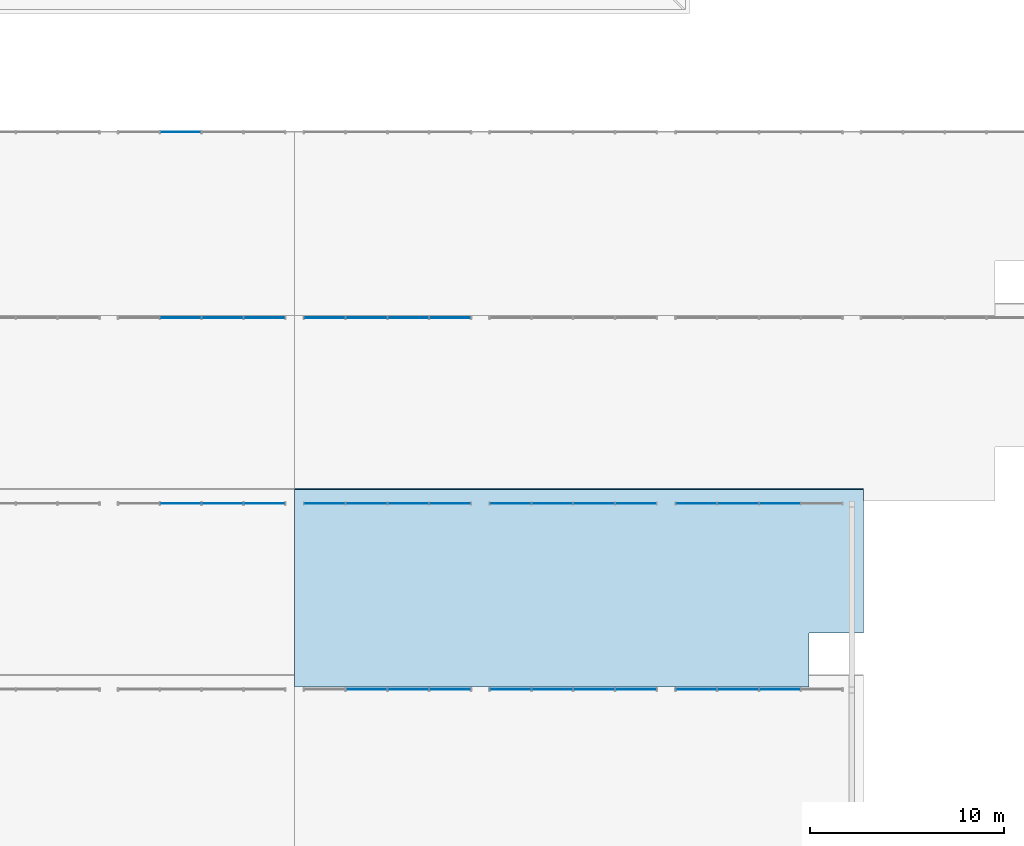
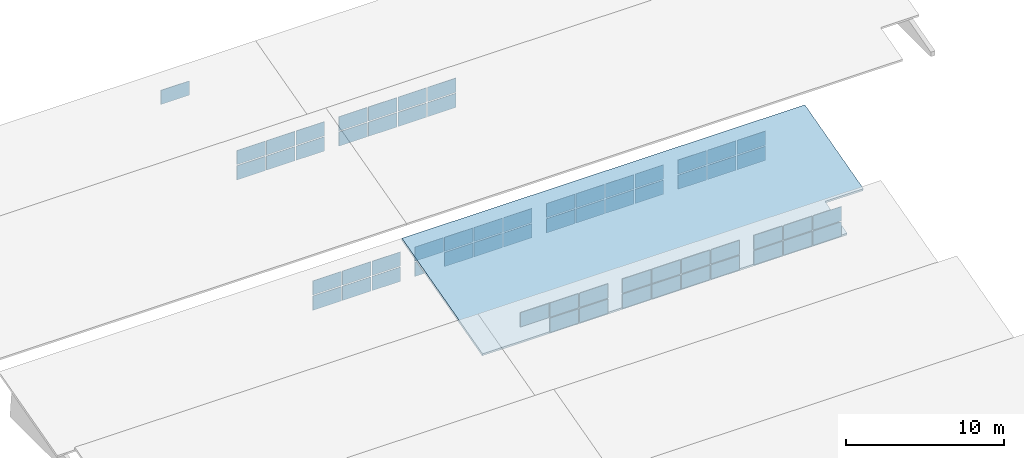
# One storey, part 14 of 18: 62 plates, 1 slab, 10 elements without a shape of their own.
"""IFC4 building model written with IfcOpenShell, lengths in metres."""

from ifc_helpers import new_model, si_unit, direction, frame, origin, origin_2d, place, context, subcontext, project, spatial, polyline, rectangle, outline, extrude, material, layer, layer_set, type_object, element, aggregate, save


model = new_model("IFC4")

# Units and contexts
model_context = context("Model", 3, precision=1e-05, world=origin(), true_north=direction((0.0, 1.0)))
body_context = subcontext(model_context, "Body", "Model", "MODEL_VIEW")
ifc_project = project(units=[si_unit("LENGTHUNIT", "METRE"), si_unit("AREAUNIT", "SQUARE_METRE"), si_unit("VOLUMEUNIT", "CUBIC_METRE"), si_unit("PLANEANGLEUNIT", "RADIAN"), si_unit("MASSUNIT", "GRAM", prefix="KILO")], contexts=[model_context])

# Site, building, storey
site_placement = place(None, origin())
site = spatial("IfcSite", under=ifc_project, at=site_placement, CompositionType="ELEMENT")
building_placement = place(site_placement, origin())
building = spatial("IfcBuilding", under=site, at=building_placement, Name="Bempovik Park Faculty of Sciences", CompositionType="ELEMENT")
storey_placement = place(building_placement, frame((0.0, 0.0, 50.10009765625)))
storey = spatial("IfcBuildingStorey", under=building, at=storey_placement, Name="Roof", CompositionType="ELEMENT", Elevation=50.10009765625)

# Curtain wall, plates
ifc_material_1 = material(Name="Tempered laminated low-E glass", Category="glass")
ifc_layer_1 = layer(ifc_material_1, 0.159912109375)
ifc_layer_set_1 = layer_set([ifc_layer_1], Name="Tempered laminated low-E glass")
curtain_wall_type_1 = type_object("IfcCurtainWallType", Name="CW-53 Curtain 8000x2550", PredefinedType="USERDEFINED", material=ifc_layer_set_1)
curtain_wall_1_placement = place(storey_placement, origin())
curtain_wall_1 = element("IfcCurtainWall", 1, at=curtain_wall_1_placement, inside=storey, type_object=curtain_wall_type_1, Name="V1 Sawtooth North-Light Clerestory Bay 4 (88.8-98.4)", ObjectType="NORTH LIGHT CLERESTORY", PredefinedType="USERDEFINED")
ifc_layer_2 = layer(ifc_material_1, 0.031982421875)
ifc_layer_set_2 = layer_set([ifc_layer_2], Name="Tempered laminated low-E glass")
plate_type = type_object("IfcPlateType", Name="CP-23 Curtain Panel 32mm", PredefinedType="CURTAIN_PANEL", material=ifc_layer_set_2)
plate_1_placement = place(storey_placement, frame((92.52001953125, 58.080078125, -28.98388671875), z_axis=(0.0, 0.0, 1.0), x_axis=(1.0, 0.0, 0.0)))
plate_1 = element("IfcPlate", 2, at=plate_1_placement, type_object=plate_type, Name="CW-NL-V1-B4-888 Panel 1-1", PredefinedType="CURTAIN_PANEL", context=body_context, shape_type="SweptSolid", body=[
    extrude(rectangle(XDim=2.080078125, YDim=0.035888671875, at=origin_2d()), origin(), (0.0, 0.0, 1.0), 1.09619140625),
])
plate_2_placement = place(storey_placement, frame((94.679931640625, 58.080078125, -30.16015625), z_axis=(0.0, 0.0, 1.0), x_axis=(1.0, 0.0, 0.0)))
plate_2 = element("IfcPlate", 3, at=plate_2_placement, type_object=plate_type, Name="CW-NL-V1-B4-888 Panel 2-0", PredefinedType="CURTAIN_PANEL", context=body_context, shape_type="SweptSolid", body=[
    extrude(rectangle(XDim=2.080078125, YDim=0.035888671875, at=origin_2d()), origin(), (0.0, 0.0, 1.0), 1.09619140625),
])
plate_3_placement = place(storey_placement, frame((94.679931640625, 58.080078125, -28.98388671875), z_axis=(0.0, 0.0, 1.0), x_axis=(1.0, 0.0, 0.0)))
plate_3 = element("IfcPlate", 4, at=plate_3_placement, type_object=plate_type, Name="CW-NL-V1-B4-888 Panel 2-1", PredefinedType="CURTAIN_PANEL", context=body_context, shape_type="SweptSolid", body=[
    extrude(rectangle(XDim=2.080078125, YDim=0.035888671875, at=origin_2d()), origin(), (0.0, 0.0, 1.0), 1.09619140625),
])
plate_4_placement = place(storey_placement, frame((96.840087890625, 58.080078125, -30.16015625), z_axis=(0.0, 0.0, 1.0), x_axis=(1.0, 0.0, 0.0)))
plate_4 = element("IfcPlate", 5, at=plate_4_placement, type_object=plate_type, Name="CW-NL-V1-B4-888 Panel 3-0", PredefinedType="CURTAIN_PANEL", context=body_context, shape_type="SweptSolid", body=[
    extrude(rectangle(XDim=2.080078125, YDim=0.035888671875, at=origin_2d()), origin(), (0.0, 0.0, 1.0), 1.09619140625),
])
plate_5_placement = place(storey_placement, frame((96.840087890625, 58.080078125, -28.98388671875), z_axis=(0.0, 0.0, 1.0), x_axis=(1.0, 0.0, 0.0)))
plate_5 = element("IfcPlate", 6, at=plate_5_placement, type_object=plate_type, Name="CW-NL-V1-B4-888 Panel 3-1", PredefinedType="CURTAIN_PANEL", context=body_context, shape_type="SweptSolid", body=[
    extrude(rectangle(XDim=2.080078125, YDim=0.035888671875, at=origin_2d()), origin(), (0.0, 0.0, 1.0), 1.09619140625),
])
aggregate(curtain_wall_1, [plate_1, plate_2, plate_3, plate_4, plate_5])

curtain_wall_2_placement = place(storey_placement, origin())
curtain_wall_2 = element("IfcCurtainWall", 7, at=curtain_wall_2_placement, inside=storey, type_object=curtain_wall_type_1, Name="V1 Sawtooth North-Light Clerestory Bay 4 (98.4-108.0)", ObjectType="NORTH LIGHT CLERESTORY", PredefinedType="USERDEFINED")
plate_6_placement = place(storey_placement, frame((99.9599609375, 58.080078125, -30.16015625), z_axis=(0.0, 0.0, 1.0), x_axis=(1.0, 0.0, 0.0)))
plate_6 = element("IfcPlate", 8, at=plate_6_placement, type_object=plate_type, Name="CW-NL-V1-B4-984 Panel 0-0", PredefinedType="CURTAIN_PANEL", context=body_context, shape_type="SweptSolid", body=[
    extrude(rectangle(XDim=2.080078125, YDim=0.035888671875, at=origin_2d()), origin(), (0.0, 0.0, 1.0), 1.09619140625),
])
plate_7_placement = place(storey_placement, frame((99.9599609375, 58.080078125, -28.98388671875), z_axis=(0.0, 0.0, 1.0), x_axis=(1.0, 0.0, 0.0)))
plate_7 = element("IfcPlate", 9, at=plate_7_placement, type_object=plate_type, Name="CW-NL-V1-B4-984 Panel 0-1", PredefinedType="CURTAIN_PANEL", context=body_context, shape_type="SweptSolid", body=[
    extrude(rectangle(XDim=2.080078125, YDim=0.035888671875, at=origin_2d()), origin(), (0.0, 0.0, 1.0), 1.09619140625),
])
plate_8_placement = place(storey_placement, frame((102.1201171875, 58.080078125, -30.16015625), z_axis=(0.0, 0.0, 1.0), x_axis=(1.0, 0.0, 0.0)))
plate_8 = element("IfcPlate", 10, at=plate_8_placement, type_object=plate_type, Name="CW-NL-V1-B4-984 Panel 1-0", PredefinedType="CURTAIN_PANEL", context=body_context, shape_type="SweptSolid", body=[
    extrude(rectangle(XDim=2.080078125, YDim=0.035888671875, at=origin_2d()), origin(), (0.0, 0.0, 1.0), 1.09619140625),
])
plate_9_placement = place(storey_placement, frame((102.1201171875, 58.080078125, -28.98388671875), z_axis=(0.0, 0.0, 1.0), x_axis=(1.0, 0.0, 0.0)))
plate_9 = element("IfcPlate", 11, at=plate_9_placement, type_object=plate_type, Name="CW-NL-V1-B4-984 Panel 1-1", PredefinedType="CURTAIN_PANEL", context=body_context, shape_type="SweptSolid", body=[
    extrude(rectangle(XDim=2.080078125, YDim=0.035888671875, at=origin_2d()), origin(), (0.0, 0.0, 1.0), 1.09619140625),
])
plate_10_placement = place(storey_placement, frame((104.280029296875, 58.080078125, -30.16015625), z_axis=(0.0, 0.0, 1.0), x_axis=(1.0, 0.0, 0.0)))
plate_10 = element("IfcPlate", 12, at=plate_10_placement, type_object=plate_type, Name="CW-NL-V1-B4-984 Panel 2-0", PredefinedType="CURTAIN_PANEL", context=body_context, shape_type="SweptSolid", body=[
    extrude(rectangle(XDim=2.080078125, YDim=0.035888671875, at=origin_2d()), origin(), (0.0, 0.0, 1.0), 1.09619140625),
])
plate_11_placement = place(storey_placement, frame((104.280029296875, 58.080078125, -28.98388671875), z_axis=(0.0, 0.0, 1.0), x_axis=(1.0, 0.0, 0.0)))
plate_11 = element("IfcPlate", 13, at=plate_11_placement, type_object=plate_type, Name="CW-NL-V1-B4-984 Panel 2-1", PredefinedType="CURTAIN_PANEL", context=body_context, shape_type="SweptSolid", body=[
    extrude(rectangle(XDim=2.080078125, YDim=0.035888671875, at=origin_2d()), origin(), (0.0, 0.0, 1.0), 1.09619140625),
])
plate_12_placement = place(storey_placement, frame((106.43994140625, 58.080078125, -30.16015625), z_axis=(0.0, 0.0, 1.0), x_axis=(1.0, 0.0, 0.0)))
plate_12 = element("IfcPlate", 14, at=plate_12_placement, type_object=plate_type, Name="CW-NL-V1-B4-984 Panel 3-0", PredefinedType="CURTAIN_PANEL", context=body_context, shape_type="SweptSolid", body=[
    extrude(rectangle(XDim=2.080078125, YDim=0.035888671875, at=origin_2d()), origin(), (0.0, 0.0, 1.0), 1.09619140625),
])
plate_13_placement = place(storey_placement, frame((106.43994140625, 58.080078125, -28.98388671875), z_axis=(0.0, 0.0, 1.0), x_axis=(1.0, 0.0, 0.0)))
plate_13 = element("IfcPlate", 15, at=plate_13_placement, type_object=plate_type, Name="CW-NL-V1-B4-984 Panel 3-1", PredefinedType="CURTAIN_PANEL", context=body_context, shape_type="SweptSolid", body=[
    extrude(rectangle(XDim=2.080078125, YDim=0.035888671875, at=origin_2d()), origin(), (0.0, 0.0, 1.0), 1.09619140625),
])
aggregate(curtain_wall_2, [plate_6, plate_7, plate_8, plate_9, plate_10, plate_11, plate_12, plate_13])

ifc_layer_3 = layer(ifc_material_1, 0.159912109375)
ifc_layer_set_3 = layer_set([ifc_layer_3], Name="Tempered laminated low-E glass")
curtain_wall_type_2 = type_object("IfcCurtainWallType", Name="CW-17 Curtain 7200x2550", PredefinedType="USERDEFINED", material=ifc_layer_set_3)
curtain_wall_3_placement = place(storey_placement, origin())
curtain_wall_3 = element("IfcCurtainWall", 16, at=curtain_wall_3_placement, inside=storey, type_object=curtain_wall_type_2, Name="V1 Sawtooth North-Light Clerestory Bay 4 (108.0-117.6)", ObjectType="NORTH LIGHT CLERESTORY", PredefinedType="USERDEFINED")
plate_14_placement = place(storey_placement, frame((109.56005859375, 58.080078125, -30.16015625), z_axis=(0.0, 0.0, 1.0), x_axis=(1.0, 0.0, 0.0)))
plate_14 = element("IfcPlate", 17, at=plate_14_placement, type_object=plate_type, Name="CW-NL-V1-B4-1080 Panel 0-0", PredefinedType="CURTAIN_PANEL", context=body_context, shape_type="SweptSolid", body=[
    extrude(rectangle(XDim=2.080078125, YDim=0.035888671875, at=origin_2d()), origin(), (0.0, 0.0, 1.0), 1.09619140625),
])
plate_15_placement = place(storey_placement, frame((109.56005859375, 58.080078125, -28.98388671875), z_axis=(0.0, 0.0, 1.0), x_axis=(1.0, 0.0, 0.0)))
plate_15 = element("IfcPlate", 18, at=plate_15_placement, type_object=plate_type, Name="CW-NL-V1-B4-1080 Panel 0-1", PredefinedType="CURTAIN_PANEL", context=body_context, shape_type="SweptSolid", body=[
    extrude(rectangle(XDim=2.080078125, YDim=0.035888671875, at=origin_2d()), origin(), (0.0, 0.0, 1.0), 1.09619140625),
])
plate_16_placement = place(storey_placement, frame((111.719970703125, 58.080078125, -30.16015625), z_axis=(0.0, 0.0, 1.0), x_axis=(1.0, 0.0, 0.0)))
plate_16 = element("IfcPlate", 19, at=plate_16_placement, type_object=plate_type, Name="CW-NL-V1-B4-1080 Panel 1-0", PredefinedType="CURTAIN_PANEL", context=body_context, shape_type="SweptSolid", body=[
    extrude(rectangle(XDim=2.080078125, YDim=0.035888671875, at=origin_2d()), origin(), (0.0, 0.0, 1.0), 1.09619140625),
])
plate_17_placement = place(storey_placement, frame((111.719970703125, 58.080078125, -28.98388671875), z_axis=(0.0, 0.0, 1.0), x_axis=(1.0, 0.0, 0.0)))
plate_17 = element("IfcPlate", 20, at=plate_17_placement, type_object=plate_type, Name="CW-NL-V1-B4-1080 Panel 1-1", PredefinedType="CURTAIN_PANEL", context=body_context, shape_type="SweptSolid", body=[
    extrude(rectangle(XDim=2.080078125, YDim=0.035888671875, at=origin_2d()), origin(), (0.0, 0.0, 1.0), 1.09619140625),
])
plate_18_placement = place(storey_placement, frame((113.8798828125, 58.080078125, -30.16015625), z_axis=(0.0, 0.0, 1.0), x_axis=(1.0, 0.0, 0.0)))
plate_18 = element("IfcPlate", 21, at=plate_18_placement, type_object=plate_type, Name="CW-NL-V1-B4-1080 Panel 2-0", PredefinedType="CURTAIN_PANEL", context=body_context, shape_type="SweptSolid", body=[
    extrude(rectangle(XDim=2.080078125, YDim=0.035888671875, at=origin_2d()), origin(), (0.0, 0.0, 1.0), 1.09619140625),
])
plate_19_placement = place(storey_placement, frame((113.8798828125, 58.080078125, -28.98388671875), z_axis=(0.0, 0.0, 1.0), x_axis=(1.0, 0.0, 0.0)))
plate_19 = element("IfcPlate", 22, at=plate_19_placement, type_object=plate_type, Name="CW-NL-V1-B4-1080 Panel 2-1", PredefinedType="CURTAIN_PANEL", context=body_context, shape_type="SweptSolid", body=[
    extrude(rectangle(XDim=2.080078125, YDim=0.035888671875, at=origin_2d()), origin(), (0.0, 0.0, 1.0), 1.09619140625),
])
aggregate(curtain_wall_3, [plate_14, plate_15, plate_16, plate_17, plate_18, plate_19])

curtain_wall_4_placement = place(storey_placement, origin())
curtain_wall_4 = element("IfcCurtainWall", 23, at=curtain_wall_4_placement, inside=storey, type_object=curtain_wall_type_1, Name="V1 Sawtooth North-Light Clerestory Bay 5 (79.2-88.8)", ObjectType="NORTH LIGHT CLERESTORY", PredefinedType="USERDEFINED")
plate_20_placement = place(storey_placement, frame((82.919921875, 67.679931640625, -30.16015625), z_axis=(0.0, 0.0, 1.0), x_axis=(1.0, 0.0, 0.0)))
plate_20 = element("IfcPlate", 24, at=plate_20_placement, type_object=plate_type, Name="CW-NL-V1-B5-792 Panel 1-0", PredefinedType="CURTAIN_PANEL", context=body_context, shape_type="SweptSolid", body=[
    extrude(rectangle(XDim=2.080078125, YDim=0.035888671875, at=origin_2d()), origin(), (0.0, 0.0, 1.0), 1.09619140625),
])
plate_21_placement = place(storey_placement, frame((82.919921875, 67.679931640625, -28.98388671875), z_axis=(0.0, 0.0, 1.0), x_axis=(1.0, 0.0, 0.0)))
plate_21 = element("IfcPlate", 25, at=plate_21_placement, type_object=plate_type, Name="CW-NL-V1-B5-792 Panel 1-1", PredefinedType="CURTAIN_PANEL", context=body_context, shape_type="SweptSolid", body=[
    extrude(rectangle(XDim=2.080078125, YDim=0.035888671875, at=origin_2d()), origin(), (0.0, 0.0, 1.0), 1.09619140625),
])
plate_22_placement = place(storey_placement, frame((85.080078125, 67.679931640625, -30.16015625), z_axis=(0.0, 0.0, 1.0), x_axis=(1.0, 0.0, 0.0)))
plate_22 = element("IfcPlate", 26, at=plate_22_placement, type_object=plate_type, Name="CW-NL-V1-B5-792 Panel 2-0", PredefinedType="CURTAIN_PANEL", context=body_context, shape_type="SweptSolid", body=[
    extrude(rectangle(XDim=2.080078125, YDim=0.035888671875, at=origin_2d()), origin(), (0.0, 0.0, 1.0), 1.09619140625),
])
plate_23_placement = place(storey_placement, frame((85.080078125, 67.679931640625, -28.98388671875), z_axis=(0.0, 0.0, 1.0), x_axis=(1.0, 0.0, 0.0)))
plate_23 = element("IfcPlate", 27, at=plate_23_placement, type_object=plate_type, Name="CW-NL-V1-B5-792 Panel 2-1", PredefinedType="CURTAIN_PANEL", context=body_context, shape_type="SweptSolid", body=[
    extrude(rectangle(XDim=2.080078125, YDim=0.035888671875, at=origin_2d()), origin(), (0.0, 0.0, 1.0), 1.09619140625),
])
plate_24_placement = place(storey_placement, frame((87.239990234375, 67.679931640625, -30.16015625), z_axis=(0.0, 0.0, 1.0), x_axis=(1.0, 0.0, 0.0)))
plate_24 = element("IfcPlate", 28, at=plate_24_placement, type_object=plate_type, Name="CW-NL-V1-B5-792 Panel 3-0", PredefinedType="CURTAIN_PANEL", context=body_context, shape_type="SweptSolid", body=[
    extrude(rectangle(XDim=2.080078125, YDim=0.035888671875, at=origin_2d()), origin(), (0.0, 0.0, 1.0), 1.09619140625),
])
plate_25_placement = place(storey_placement, frame((87.239990234375, 67.679931640625, -28.98388671875), z_axis=(0.0, 0.0, 1.0), x_axis=(1.0, 0.0, 0.0)))
plate_25 = element("IfcPlate", 29, at=plate_25_placement, type_object=plate_type, Name="CW-NL-V1-B5-792 Panel 3-1", PredefinedType="CURTAIN_PANEL", context=body_context, shape_type="SweptSolid", body=[
    extrude(rectangle(XDim=2.080078125, YDim=0.035888671875, at=origin_2d()), origin(), (0.0, 0.0, 1.0), 1.09619140625),
])
aggregate(curtain_wall_4, [plate_20, plate_21, plate_22, plate_23, plate_24, plate_25])

curtain_wall_5_placement = place(storey_placement, origin())
curtain_wall_5 = element("IfcCurtainWall", 30, at=curtain_wall_5_placement, inside=storey, type_object=curtain_wall_type_1, Name="V1 Sawtooth North-Light Clerestory Bay 5 (88.8-98.4)", ObjectType="NORTH LIGHT CLERESTORY", PredefinedType="USERDEFINED")
plate_26_placement = place(storey_placement, frame((90.360107421875, 67.679931640625, -30.16015625), z_axis=(0.0, 0.0, 1.0), x_axis=(1.0, 0.0, 0.0)))
plate_26 = element("IfcPlate", 31, at=plate_26_placement, type_object=plate_type, Name="CW-NL-V1-B5-888 Panel 0-0", PredefinedType="CURTAIN_PANEL", context=body_context, shape_type="SweptSolid", body=[
    extrude(rectangle(XDim=2.080078125, YDim=0.035888671875, at=origin_2d()), origin(), (0.0, 0.0, 1.0), 1.09619140625),
])
plate_27_placement = place(storey_placement, frame((90.360107421875, 67.679931640625, -28.98388671875), z_axis=(0.0, 0.0, 1.0), x_axis=(1.0, 0.0, 0.0)))
plate_27 = element("IfcPlate", 32, at=plate_27_placement, type_object=plate_type, Name="CW-NL-V1-B5-888 Panel 0-1", PredefinedType="CURTAIN_PANEL", context=body_context, shape_type="SweptSolid", body=[
    extrude(rectangle(XDim=2.080078125, YDim=0.035888671875, at=origin_2d()), origin(), (0.0, 0.0, 1.0), 1.09619140625),
])
plate_28_placement = place(storey_placement, frame((92.52001953125, 67.679931640625, -30.16015625), z_axis=(0.0, 0.0, 1.0), x_axis=(1.0, 0.0, 0.0)))
plate_28 = element("IfcPlate", 33, at=plate_28_placement, type_object=plate_type, Name="CW-NL-V1-B5-888 Panel 1-0", PredefinedType="CURTAIN_PANEL", context=body_context, shape_type="SweptSolid", body=[
    extrude(rectangle(XDim=2.080078125, YDim=0.035888671875, at=origin_2d()), origin(), (0.0, 0.0, 1.0), 1.09619140625),
])
plate_29_placement = place(storey_placement, frame((92.52001953125, 67.679931640625, -28.98388671875), z_axis=(0.0, 0.0, 1.0), x_axis=(1.0, 0.0, 0.0)))
plate_29 = element("IfcPlate", 34, at=plate_29_placement, type_object=plate_type, Name="CW-NL-V1-B5-888 Panel 1-1", PredefinedType="CURTAIN_PANEL", context=body_context, shape_type="SweptSolid", body=[
    extrude(rectangle(XDim=2.080078125, YDim=0.035888671875, at=origin_2d()), origin(), (0.0, 0.0, 1.0), 1.09619140625),
])
plate_30_placement = place(storey_placement, frame((94.679931640625, 67.679931640625, -30.16015625), z_axis=(0.0, 0.0, 1.0), x_axis=(1.0, 0.0, 0.0)))
plate_30 = element("IfcPlate", 35, at=plate_30_placement, type_object=plate_type, Name="CW-NL-V1-B5-888 Panel 2-0", PredefinedType="CURTAIN_PANEL", context=body_context, shape_type="SweptSolid", body=[
    extrude(rectangle(XDim=2.080078125, YDim=0.035888671875, at=origin_2d()), origin(), (0.0, 0.0, 1.0), 1.09619140625),
])
plate_31_placement = place(storey_placement, frame((94.679931640625, 67.679931640625, -28.98388671875), z_axis=(0.0, 0.0, 1.0), x_axis=(1.0, 0.0, 0.0)))
plate_31 = element("IfcPlate", 36, at=plate_31_placement, type_object=plate_type, Name="CW-NL-V1-B5-888 Panel 2-1", PredefinedType="CURTAIN_PANEL", context=body_context, shape_type="SweptSolid", body=[
    extrude(rectangle(XDim=2.080078125, YDim=0.035888671875, at=origin_2d()), origin(), (0.0, 0.0, 1.0), 1.09619140625),
])
plate_32_placement = place(storey_placement, frame((96.840087890625, 67.679931640625, -30.16015625), z_axis=(0.0, 0.0, 1.0), x_axis=(1.0, 0.0, 0.0)))
plate_32 = element("IfcPlate", 37, at=plate_32_placement, type_object=plate_type, Name="CW-NL-V1-B5-888 Panel 3-0", PredefinedType="CURTAIN_PANEL", context=body_context, shape_type="SweptSolid", body=[
    extrude(rectangle(XDim=2.080078125, YDim=0.035888671875, at=origin_2d()), origin(), (0.0, 0.0, 1.0), 1.09619140625),
])
plate_33_placement = place(storey_placement, frame((96.840087890625, 67.679931640625, -28.98388671875), z_axis=(0.0, 0.0, 1.0), x_axis=(1.0, 0.0, 0.0)))
plate_33 = element("IfcPlate", 38, at=plate_33_placement, type_object=plate_type, Name="CW-NL-V1-B5-888 Panel 3-1", PredefinedType="CURTAIN_PANEL", context=body_context, shape_type="SweptSolid", body=[
    extrude(rectangle(XDim=2.080078125, YDim=0.035888671875, at=origin_2d()), origin(), (0.0, 0.0, 1.0), 1.09619140625),
])
aggregate(curtain_wall_5, [plate_26, plate_27, plate_28, plate_29, plate_30, plate_31, plate_32, plate_33])

curtain_wall_6_placement = place(storey_placement, origin())
curtain_wall_6 = element("IfcCurtainWall", 39, at=curtain_wall_6_placement, inside=storey, type_object=curtain_wall_type_1, Name="V1 Sawtooth North-Light Clerestory Bay 5 (98.4-108.0)", ObjectType="NORTH LIGHT CLERESTORY", PredefinedType="USERDEFINED")
plate_34_placement = place(storey_placement, frame((99.9599609375, 67.679931640625, -30.16015625), z_axis=(0.0, 0.0, 1.0), x_axis=(1.0, 0.0, 0.0)))
plate_34 = element("IfcPlate", 40, at=plate_34_placement, type_object=plate_type, Name="CW-NL-V1-B5-984 Panel 0-0", PredefinedType="CURTAIN_PANEL", context=body_context, shape_type="SweptSolid", body=[
    extrude(rectangle(XDim=2.080078125, YDim=0.035888671875, at=origin_2d()), origin(), (0.0, 0.0, 1.0), 1.09619140625),
])
plate_35_placement = place(storey_placement, frame((99.9599609375, 67.679931640625, -28.98388671875), z_axis=(0.0, 0.0, 1.0), x_axis=(1.0, 0.0, 0.0)))
plate_35 = element("IfcPlate", 41, at=plate_35_placement, type_object=plate_type, Name="CW-NL-V1-B5-984 Panel 0-1", PredefinedType="CURTAIN_PANEL", context=body_context, shape_type="SweptSolid", body=[
    extrude(rectangle(XDim=2.080078125, YDim=0.035888671875, at=origin_2d()), origin(), (0.0, 0.0, 1.0), 1.09619140625),
])
plate_36_placement = place(storey_placement, frame((102.1201171875, 67.679931640625, -30.16015625), z_axis=(0.0, 0.0, 1.0), x_axis=(1.0, 0.0, 0.0)))
plate_36 = element("IfcPlate", 42, at=plate_36_placement, type_object=plate_type, Name="CW-NL-V1-B5-984 Panel 1-0", PredefinedType="CURTAIN_PANEL", context=body_context, shape_type="SweptSolid", body=[
    extrude(rectangle(XDim=2.080078125, YDim=0.035888671875, at=origin_2d()), origin(), (0.0, 0.0, 1.0), 1.09619140625),
])
plate_37_placement = place(storey_placement, frame((102.1201171875, 67.679931640625, -28.98388671875), z_axis=(0.0, 0.0, 1.0), x_axis=(1.0, 0.0, 0.0)))
plate_37 = element("IfcPlate", 43, at=plate_37_placement, type_object=plate_type, Name="CW-NL-V1-B5-984 Panel 1-1", PredefinedType="CURTAIN_PANEL", context=body_context, shape_type="SweptSolid", body=[
    extrude(rectangle(XDim=2.080078125, YDim=0.035888671875, at=origin_2d()), origin(), (0.0, 0.0, 1.0), 1.09619140625),
])
plate_38_placement = place(storey_placement, frame((104.280029296875, 67.679931640625, -30.16015625), z_axis=(0.0, 0.0, 1.0), x_axis=(1.0, 0.0, 0.0)))
plate_38 = element("IfcPlate", 44, at=plate_38_placement, type_object=plate_type, Name="CW-NL-V1-B5-984 Panel 2-0", PredefinedType="CURTAIN_PANEL", context=body_context, shape_type="SweptSolid", body=[
    extrude(rectangle(XDim=2.080078125, YDim=0.035888671875, at=origin_2d()), origin(), (0.0, 0.0, 1.0), 1.09619140625),
])
plate_39_placement = place(storey_placement, frame((104.280029296875, 67.679931640625, -28.98388671875), z_axis=(0.0, 0.0, 1.0), x_axis=(1.0, 0.0, 0.0)))
plate_39 = element("IfcPlate", 45, at=plate_39_placement, type_object=plate_type, Name="CW-NL-V1-B5-984 Panel 2-1", PredefinedType="CURTAIN_PANEL", context=body_context, shape_type="SweptSolid", body=[
    extrude(rectangle(XDim=2.080078125, YDim=0.035888671875, at=origin_2d()), origin(), (0.0, 0.0, 1.0), 1.09619140625),
])
plate_40_placement = place(storey_placement, frame((106.43994140625, 67.679931640625, -30.16015625), z_axis=(0.0, 0.0, 1.0), x_axis=(1.0, 0.0, 0.0)))
plate_40 = element("IfcPlate", 46, at=plate_40_placement, type_object=plate_type, Name="CW-NL-V1-B5-984 Panel 3-0", PredefinedType="CURTAIN_PANEL", context=body_context, shape_type="SweptSolid", body=[
    extrude(rectangle(XDim=2.080078125, YDim=0.035888671875, at=origin_2d()), origin(), (0.0, 0.0, 1.0), 1.09619140625),
])
plate_41_placement = place(storey_placement, frame((106.43994140625, 67.679931640625, -28.98388671875), z_axis=(0.0, 0.0, 1.0), x_axis=(1.0, 0.0, 0.0)))
plate_41 = element("IfcPlate", 47, at=plate_41_placement, type_object=plate_type, Name="CW-NL-V1-B5-984 Panel 3-1", PredefinedType="CURTAIN_PANEL", context=body_context, shape_type="SweptSolid", body=[
    extrude(rectangle(XDim=2.080078125, YDim=0.035888671875, at=origin_2d()), origin(), (0.0, 0.0, 1.0), 1.09619140625),
])
aggregate(curtain_wall_6, [plate_34, plate_35, plate_36, plate_37, plate_38, plate_39, plate_40, plate_41])

curtain_wall_7_placement = place(storey_placement, origin())
curtain_wall_7 = element("IfcCurtainWall", 48, at=curtain_wall_7_placement, inside=storey, type_object=curtain_wall_type_2, Name="V1 Sawtooth North-Light Clerestory Bay 5 (108.0-117.6)", ObjectType="NORTH LIGHT CLERESTORY", PredefinedType="USERDEFINED")
plate_42_placement = place(storey_placement, frame((109.56005859375, 67.679931640625, -30.16015625), z_axis=(0.0, 0.0, 1.0), x_axis=(1.0, 0.0, 0.0)))
plate_42 = element("IfcPlate", 49, at=plate_42_placement, type_object=plate_type, Name="CW-NL-V1-B5-1080 Panel 0-0", PredefinedType="CURTAIN_PANEL", context=body_context, shape_type="SweptSolid", body=[
    extrude(rectangle(XDim=2.080078125, YDim=0.035888671875, at=origin_2d()), origin(), (0.0, 0.0, 1.0), 1.09619140625),
])
plate_43_placement = place(storey_placement, frame((109.56005859375, 67.679931640625, -28.98388671875), z_axis=(0.0, 0.0, 1.0), x_axis=(1.0, 0.0, 0.0)))
plate_43 = element("IfcPlate", 50, at=plate_43_placement, type_object=plate_type, Name="CW-NL-V1-B5-1080 Panel 0-1", PredefinedType="CURTAIN_PANEL", context=body_context, shape_type="SweptSolid", body=[
    extrude(rectangle(XDim=2.080078125, YDim=0.035888671875, at=origin_2d()), origin(), (0.0, 0.0, 1.0), 1.09619140625),
])
plate_44_placement = place(storey_placement, frame((111.719970703125, 67.679931640625, -30.16015625), z_axis=(0.0, 0.0, 1.0), x_axis=(1.0, 0.0, 0.0)))
plate_44 = element("IfcPlate", 51, at=plate_44_placement, type_object=plate_type, Name="CW-NL-V1-B5-1080 Panel 1-0", PredefinedType="CURTAIN_PANEL", context=body_context, shape_type="SweptSolid", body=[
    extrude(rectangle(XDim=2.080078125, YDim=0.035888671875, at=origin_2d()), origin(), (0.0, 0.0, 1.0), 1.09619140625),
])
plate_45_placement = place(storey_placement, frame((111.719970703125, 67.679931640625, -28.98388671875), z_axis=(0.0, 0.0, 1.0), x_axis=(1.0, 0.0, 0.0)))
plate_45 = element("IfcPlate", 52, at=plate_45_placement, type_object=plate_type, Name="CW-NL-V1-B5-1080 Panel 1-1", PredefinedType="CURTAIN_PANEL", context=body_context, shape_type="SweptSolid", body=[
    extrude(rectangle(XDim=2.080078125, YDim=0.035888671875, at=origin_2d()), origin(), (0.0, 0.0, 1.0), 1.09619140625),
])
plate_46_placement = place(storey_placement, frame((113.8798828125, 67.679931640625, -30.16015625), z_axis=(0.0, 0.0, 1.0), x_axis=(1.0, 0.0, 0.0)))
plate_46 = element("IfcPlate", 53, at=plate_46_placement, type_object=plate_type, Name="CW-NL-V1-B5-1080 Panel 2-0", PredefinedType="CURTAIN_PANEL", context=body_context, shape_type="SweptSolid", body=[
    extrude(rectangle(XDim=2.080078125, YDim=0.035888671875, at=origin_2d()), origin(), (0.0, 0.0, 1.0), 1.09619140625),
])
plate_47_placement = place(storey_placement, frame((113.8798828125, 67.679931640625, -28.98388671875), z_axis=(0.0, 0.0, 1.0), x_axis=(1.0, 0.0, 0.0)))
plate_47 = element("IfcPlate", 54, at=plate_47_placement, type_object=plate_type, Name="CW-NL-V1-B5-1080 Panel 2-1", PredefinedType="CURTAIN_PANEL", context=body_context, shape_type="SweptSolid", body=[
    extrude(rectangle(XDim=2.080078125, YDim=0.035888671875, at=origin_2d()), origin(), (0.0, 0.0, 1.0), 1.09619140625),
])
aggregate(curtain_wall_7, [plate_42, plate_43, plate_44, plate_45, plate_46, plate_47])

ifc_layer_4 = layer(ifc_material_1, 0.159912109375)
ifc_layer_set_4 = layer_set([ifc_layer_4], Name="Tempered laminated low-E glass")
curtain_wall_type_3 = type_object("IfcCurtainWallType", Name="CW-15 Curtain 8000x2550", PredefinedType="USERDEFINED", material=ifc_layer_set_4)
curtain_wall_8_placement = place(storey_placement, origin())
curtain_wall_8 = element("IfcCurtainWall", 55, at=curtain_wall_8_placement, inside=storey, type_object=curtain_wall_type_3, Name="V2 Atrium Sawtooth North-Light Clerestory Bay 1 (79.2-88.8)", ObjectType="NORTH LIGHT CLERESTORY", PredefinedType="USERDEFINED")
plate_48_placement = place(storey_placement, frame((82.919921875, 77.280029296875, -25.93017578125), z_axis=(0.0, 0.0, 1.0), x_axis=(1.0, 0.0, 0.0)))
plate_48 = element("IfcPlate", 56, at=plate_48_placement, type_object=plate_type, Name="CW-NL-V2-B1-792 Panel 1-0", PredefinedType="CURTAIN_PANEL", context=body_context, shape_type="SweptSolid", body=[
    extrude(rectangle(XDim=2.080078125, YDim=0.035888671875, at=origin_2d()), origin(), (0.0, 0.0, 1.0), 1.09619140625),
])
plate_49_placement = place(storey_placement, frame((82.919921875, 77.280029296875, -24.75390625), z_axis=(0.0, 0.0, 1.0), x_axis=(1.0, 0.0, 0.0)))
plate_49 = element("IfcPlate", 57, at=plate_49_placement, type_object=plate_type, Name="CW-NL-V2-B1-792 Panel 1-1", PredefinedType="CURTAIN_PANEL", context=body_context, shape_type="SweptSolid", body=[
    extrude(rectangle(XDim=2.080078125, YDim=0.035888671875, at=origin_2d()), origin(), (0.0, 0.0, 1.0), 1.09619140625),
])
plate_50_placement = place(storey_placement, frame((85.080078125, 77.280029296875, -25.93017578125), z_axis=(0.0, 0.0, 1.0), x_axis=(1.0, 0.0, 0.0)))
plate_50 = element("IfcPlate", 58, at=plate_50_placement, type_object=plate_type, Name="CW-NL-V2-B1-792 Panel 2-0", PredefinedType="CURTAIN_PANEL", context=body_context, shape_type="SweptSolid", body=[
    extrude(rectangle(XDim=2.080078125, YDim=0.035888671875, at=origin_2d()), origin(), (0.0, 0.0, 1.0), 1.09619140625),
])
plate_51_placement = place(storey_placement, frame((85.080078125, 77.280029296875, -24.75390625), z_axis=(0.0, 0.0, 1.0), x_axis=(1.0, 0.0, 0.0)))
plate_51 = element("IfcPlate", 59, at=plate_51_placement, type_object=plate_type, Name="CW-NL-V2-B1-792 Panel 2-1", PredefinedType="CURTAIN_PANEL", context=body_context, shape_type="SweptSolid", body=[
    extrude(rectangle(XDim=2.080078125, YDim=0.035888671875, at=origin_2d()), origin(), (0.0, 0.0, 1.0), 1.09619140625),
])
plate_52_placement = place(storey_placement, frame((87.239990234375, 77.280029296875, -25.93017578125), z_axis=(0.0, 0.0, 1.0), x_axis=(1.0, 0.0, 0.0)))
plate_52 = element("IfcPlate", 60, at=plate_52_placement, type_object=plate_type, Name="CW-NL-V2-B1-792 Panel 3-0", PredefinedType="CURTAIN_PANEL", context=body_context, shape_type="SweptSolid", body=[
    extrude(rectangle(XDim=2.080078125, YDim=0.035888671875, at=origin_2d()), origin(), (0.0, 0.0, 1.0), 1.09619140625),
])
plate_53_placement = place(storey_placement, frame((87.239990234375, 77.280029296875, -24.75390625), z_axis=(0.0, 0.0, 1.0), x_axis=(1.0, 0.0, 0.0)))
plate_53 = element("IfcPlate", 61, at=plate_53_placement, type_object=plate_type, Name="CW-NL-V2-B1-792 Panel 3-1", PredefinedType="CURTAIN_PANEL", context=body_context, shape_type="SweptSolid", body=[
    extrude(rectangle(XDim=2.080078125, YDim=0.035888671875, at=origin_2d()), origin(), (0.0, 0.0, 1.0), 1.09619140625),
])
aggregate(curtain_wall_8, [plate_48, plate_49, plate_50, plate_51, plate_52, plate_53])

curtain_wall_9_placement = place(storey_placement, origin())
curtain_wall_9 = element("IfcCurtainWall", 62, at=curtain_wall_9_placement, inside=storey, type_object=curtain_wall_type_3, Name="V2 Atrium Sawtooth North-Light Clerestory Bay 1 (88.8-98.4)", ObjectType="NORTH LIGHT CLERESTORY", PredefinedType="USERDEFINED")
plate_54_placement = place(storey_placement, frame((90.360107421875, 77.280029296875, -25.93017578125), z_axis=(0.0, 0.0, 1.0), x_axis=(1.0, 0.0, 0.0)))
plate_54 = element("IfcPlate", 63, at=plate_54_placement, type_object=plate_type, Name="CW-NL-V2-B1-888 Panel 0-0", PredefinedType="CURTAIN_PANEL", context=body_context, shape_type="SweptSolid", body=[
    extrude(rectangle(XDim=2.080078125, YDim=0.035888671875, at=origin_2d()), origin(), (0.0, 0.0, 1.0), 1.09619140625),
])
plate_55_placement = place(storey_placement, frame((90.360107421875, 77.280029296875, -24.75390625), z_axis=(0.0, 0.0, 1.0), x_axis=(1.0, 0.0, 0.0)))
plate_55 = element("IfcPlate", 64, at=plate_55_placement, type_object=plate_type, Name="CW-NL-V2-B1-888 Panel 0-1", PredefinedType="CURTAIN_PANEL", context=body_context, shape_type="SweptSolid", body=[
    extrude(rectangle(XDim=2.080078125, YDim=0.035888671875, at=origin_2d()), origin(), (0.0, 0.0, 1.0), 1.09619140625),
])
plate_56_placement = place(storey_placement, frame((92.52001953125, 77.280029296875, -25.93017578125), z_axis=(0.0, 0.0, 1.0), x_axis=(1.0, 0.0, 0.0)))
plate_56 = element("IfcPlate", 65, at=plate_56_placement, type_object=plate_type, Name="CW-NL-V2-B1-888 Panel 1-0", PredefinedType="CURTAIN_PANEL", context=body_context, shape_type="SweptSolid", body=[
    extrude(rectangle(XDim=2.080078125, YDim=0.035888671875, at=origin_2d()), origin(), (0.0, 0.0, 1.0), 1.09619140625),
])
plate_57_placement = place(storey_placement, frame((92.52001953125, 77.280029296875, -24.75390625), z_axis=(0.0, 0.0, 1.0), x_axis=(1.0, 0.0, 0.0)))
plate_57 = element("IfcPlate", 66, at=plate_57_placement, type_object=plate_type, Name="CW-NL-V2-B1-888 Panel 1-1", PredefinedType="CURTAIN_PANEL", context=body_context, shape_type="SweptSolid", body=[
    extrude(rectangle(XDim=2.080078125, YDim=0.035888671875, at=origin_2d()), origin(), (0.0, 0.0, 1.0), 1.09619140625),
])
plate_58_placement = place(storey_placement, frame((94.679931640625, 77.280029296875, -25.93017578125), z_axis=(0.0, 0.0, 1.0), x_axis=(1.0, 0.0, 0.0)))
plate_58 = element("IfcPlate", 67, at=plate_58_placement, type_object=plate_type, Name="CW-NL-V2-B1-888 Panel 2-0", PredefinedType="CURTAIN_PANEL", context=body_context, shape_type="SweptSolid", body=[
    extrude(rectangle(XDim=2.080078125, YDim=0.035888671875, at=origin_2d()), origin(), (0.0, 0.0, 1.0), 1.09619140625),
])
plate_59_placement = place(storey_placement, frame((94.679931640625, 77.280029296875, -24.75390625), z_axis=(0.0, 0.0, 1.0), x_axis=(1.0, 0.0, 0.0)))
plate_59 = element("IfcPlate", 68, at=plate_59_placement, type_object=plate_type, Name="CW-NL-V2-B1-888 Panel 2-1", PredefinedType="CURTAIN_PANEL", context=body_context, shape_type="SweptSolid", body=[
    extrude(rectangle(XDim=2.080078125, YDim=0.035888671875, at=origin_2d()), origin(), (0.0, 0.0, 1.0), 1.09619140625),
])
plate_60_placement = place(storey_placement, frame((96.840087890625, 77.280029296875, -25.93017578125), z_axis=(0.0, 0.0, 1.0), x_axis=(1.0, 0.0, 0.0)))
plate_60 = element("IfcPlate", 69, at=plate_60_placement, type_object=plate_type, Name="CW-NL-V2-B1-888 Panel 3-0", PredefinedType="CURTAIN_PANEL", context=body_context, shape_type="SweptSolid", body=[
    extrude(rectangle(XDim=2.080078125, YDim=0.035888671875, at=origin_2d()), origin(), (0.0, 0.0, 1.0), 1.09619140625),
])
plate_61_placement = place(storey_placement, frame((96.840087890625, 77.280029296875, -24.75390625), z_axis=(0.0, 0.0, 1.0), x_axis=(1.0, 0.0, 0.0)))
plate_61 = element("IfcPlate", 70, at=plate_61_placement, type_object=plate_type, Name="CW-NL-V2-B1-888 Panel 3-1", PredefinedType="CURTAIN_PANEL", context=body_context, shape_type="SweptSolid", body=[
    extrude(rectangle(XDim=2.080078125, YDim=0.035888671875, at=origin_2d()), origin(), (0.0, 0.0, 1.0), 1.09619140625),
])
aggregate(curtain_wall_9, [plate_54, plate_55, plate_56, plate_57, plate_58, plate_59, plate_60, plate_61])

# Curtain wall, plate
curtain_wall_10_placement = place(storey_placement, origin())
curtain_wall_10 = element("IfcCurtainWall", 71, at=curtain_wall_10_placement, inside=storey, type_object=curtain_wall_type_3, Name="V2 Atrium Sawtooth North-Light Clerestory Bay 2 (79.2-88.8)", ObjectType="NORTH LIGHT CLERESTORY", PredefinedType="USERDEFINED")
plate_62_placement = place(storey_placement, frame((82.919921875, 86.8798828125, -25.93017578125), z_axis=(0.0, 0.0, 1.0), x_axis=(1.0, 0.0, 0.0)))
plate_62 = element("IfcPlate", 72, at=plate_62_placement, type_object=plate_type, Name="CW-NL-V2-B2-792 Panel 1-0", PredefinedType="CURTAIN_PANEL", context=body_context, shape_type="SweptSolid", body=[
    extrude(rectangle(XDim=2.080078125, YDim=0.035888671875, at=origin_2d()), origin(), (0.0, 0.0, 1.0), 1.09619140625),
])
aggregate(curtain_wall_10, [plate_62])

# Slab
ifc_material_2 = material(Name="Concrete C35/45", Category="concrete")
ifc_layer_5 = layer(ifc_material_2, 0.18994140625)
ifc_layer_set_5 = layer_set([ifc_layer_5], Name="Concrete C35/45")
slab_type = type_object("IfcSlabType", Name="S-23 Slab 190mm", PredefinedType="ROOF", material=ifc_layer_set_5)
slab_placement = place(storey_placement, frame((88.800048828125, 58.199951171875, -30.2001953125), z_axis=(8.46538e-07, -0.258827043493, 0.965923683091), x_axis=(1.0, 2.19107e-07, -8.17691e-07)))
element("IfcSlab", 73, at=slab_placement, inside=storey, type_object=slab_type, Name="Sawtooth 15-deg North-Light Roof Slab V1 Bay 5 (E)", PredefinedType="ROOF", context=body_context, shape_type="SweptSolid", body=[
    extrude(outline(polyline([(0.0, 0.0), (26.59985351561547, 0.0), (26.59985351565761, 2.898816949713909), (29.399902343781605, 2.898816949713909), (29.399902343743477, 10.559788649359323), (4.013182259095569e-12, 10.559788649359323), (0.0, 0.0)])), origin(), (0.0, 0.0, -1.0), 0.18994140625),
])

save(model, "model.ifc")
